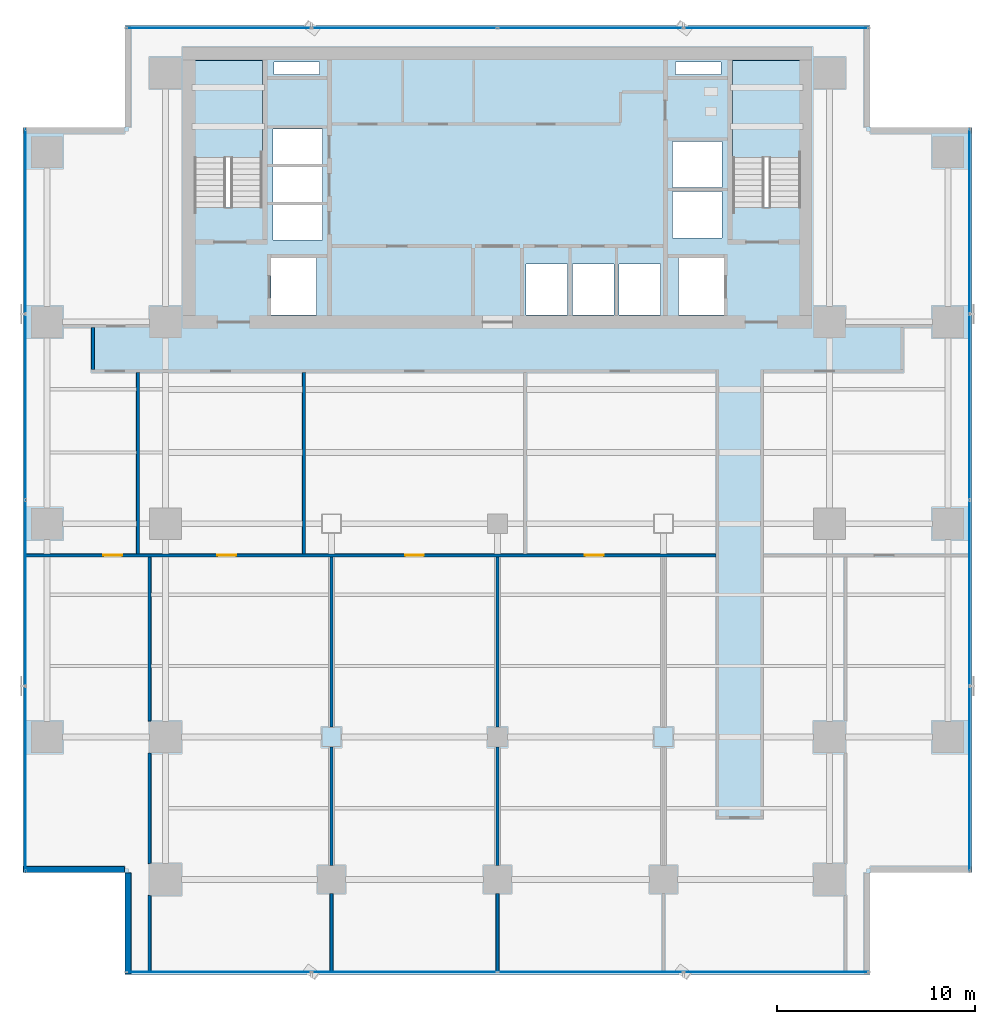
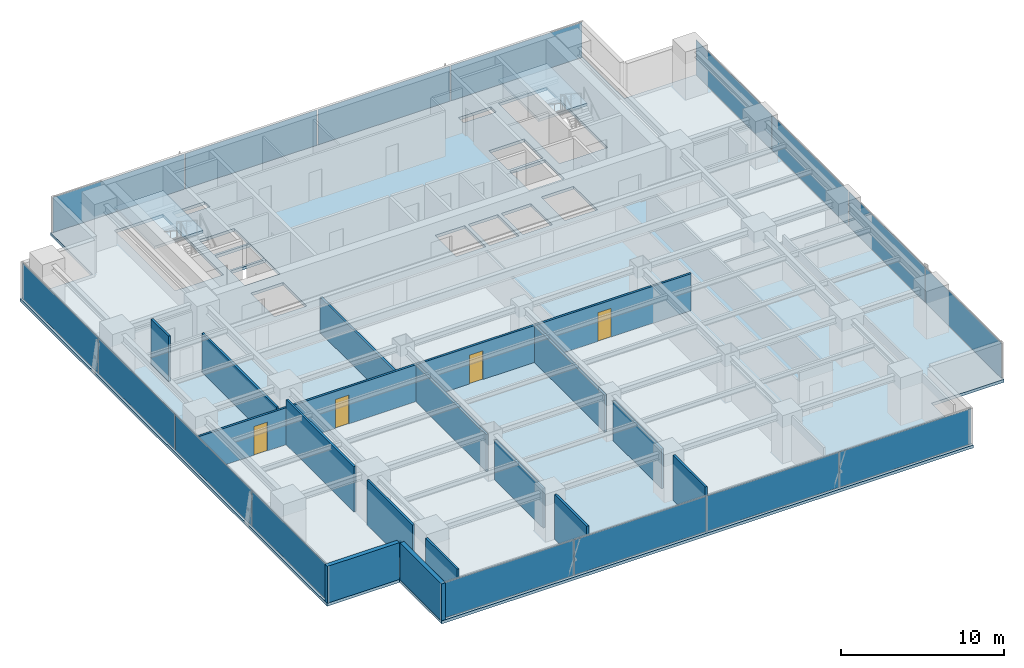
# One storey, part 20 of 28: 16 plates, 15 walls, 4 doors, 3 slabs, 4 openings, 6 elements without a shape of their own.
"""IFC4 building model written with IfcOpenShell, lengths in metres."""

from ifc_helpers import new_model, si_unit, direction, frame, frame_2d, origin, origin_2d, place, context, subcontext, project, spatial, polyline, rectangle, outline, extrude, source, transform, mapped, material, layer, layer_set, type_object, element, fill, aggregate, save


model = new_model("IFC4")

# Units and contexts
model_context = context("Model", 3, precision=1e-05, world=origin(), true_north=direction((0.0, 1.0)))
body_context = subcontext(model_context, "Body", "Model", "MODEL_VIEW")
ifc_project = project(units=[si_unit("LENGTHUNIT", "METRE"), si_unit("AREAUNIT", "SQUARE_METRE"), si_unit("VOLUMEUNIT", "CUBIC_METRE"), si_unit("PLANEANGLEUNIT", "RADIAN"), si_unit("MASSUNIT", "GRAM", prefix="KILO")], contexts=[model_context])

# Site, building, storey
site_placement = place(None, origin())
site = spatial("IfcSite", under=ifc_project, at=site_placement, CompositionType="ELEMENT")
building_placement = place(site_placement, origin())
building = spatial("IfcBuilding", under=site, at=building_placement, Name="Sumidabori Civic Tower", CompositionType="ELEMENT")
storey_placement = place(building_placement, frame((0.0, 0.0, 146.0)))
storey = spatial("IfcBuildingStorey", under=building, at=storey_placement, Name="L37", CompositionType="ELEMENT", Elevation=146.0)

# Stair, slab
ifc_material_1 = material(Name="Concrete C40/50", Category="concrete")
stair_type = type_object("IfcStairType", Name="ST-CORE-1600", PredefinedType="HALF_TURN_STAIR", material=ifc_material_1)
stair_1_placement = place(storey_placement, origin())
stair_1 = element("IfcStair", 1, at=stair_1_placement, inside=storey, type_object=stair_type, Name="L37 ST-1", PredefinedType="HALF_TURN_STAIR")
ifc_layer_1 = layer(ifc_material_1, 0.199951171875, Name="Concrete C40/50")
ifc_layer_set_1 = layer_set([ifc_layer_1], Name="Concrete C40/50")
slab_type_1 = type_object("IfcSlabType", Name="SL-LAND-200", PredefinedType="LANDING", material=ifc_layer_set_1)
slab_1_placement = place(storey_placement, frame((0.0, 0.0, 1.60009765625)))
slab_1 = element("IfcSlab", 2, at=slab_1_placement, type_object=slab_type_1, Name="ST-1 landing 1", PredefinedType="LANDING", context=body_context, shape_type="SweptSolid", body=[
    extrude(outline(polyline([(-11.89990234375, 18.52001953125), (-11.89990234375, 23.449951171875), (-15.340087890625, 23.449951171875), (-15.340087890625, 18.52001953125), (-11.89990234375, 18.52001953125)])), origin(), (0.0, 0.0, 1.0), 0.199951171875),
])
aggregate(stair_1, [slab_1])

stair_2_placement = place(storey_placement, origin())
stair_2 = element("IfcStair", 3, at=stair_2_placement, inside=storey, type_object=stair_type, Name="L37 ST-2", PredefinedType="HALF_TURN_STAIR")
slab_2_placement = place(storey_placement, frame((0.0, 0.0, 1.60009765625)))
slab_2 = element("IfcSlab", 4, at=slab_2_placement, type_object=slab_type_1, Name="ST-2 landing 1", PredefinedType="LANDING", context=body_context, shape_type="SweptSolid", body=[
    extrude(outline(polyline([(15.340087890625, 18.52001953125), (15.340087890625, 23.449951171875), (11.89990234375, 23.449951171875), (11.89990234375, 18.52001953125), (15.340087890625, 18.52001953125)])), origin(), (0.0, 0.0, 1.0), 0.199951171875),
])
aggregate(stair_2, [slab_2])

# Slab
ifc_layer_2 = layer(ifc_material_1, 0.219970703125, Name="Concrete C40/50")
ifc_layer_set_2 = layer_set([ifc_layer_2], Name="Concrete C40/50")
slab_type_2 = type_object("IfcSlabType", Name="SL-Z3-220", PredefinedType="FLOOR", material=ifc_layer_set_2)
slab_3_placement = place(storey_placement, frame((0.0, 0.0, -0.219970703125)))
element("IfcSlab", 5, at=slab_3_placement, inside=storey, type_object=slab_type_2, Name="Structural Slab L37", PredefinedType="FLOOR", context=body_context, shape_type="SweptSolid", body=[
    extrude(outline(polyline([(-18.85009765625, -22.800048828125), (18.85009765625, -22.800048828125), (18.85009765625, -17.64990234375), (24.0, -17.64990234375), (24.0, 20.050048828125), (18.85009765625, 20.050048828125), (18.85009765625, 25.199951171875), (-18.85009765625, 25.199951171875), (-18.85009765625, 20.050048828125), (-24.0, 20.050048828125), (-24.0, -17.64990234375), (-18.85009765625, -17.64990234375), (-18.85009765625, -22.800048828125)]), holes=[polyline([(-11.89990234375, 16.0), (-11.89990234375, 23.449951171875), (-15.340087890625, 23.449951171875), (-15.340087890625, 16.0), (-11.89990234375, 16.0)]), polyline([(15.340087890625, 16.0), (15.340087890625, 23.449951171875), (11.89990234375, 23.449951171875), (11.89990234375, 16.0), (15.340087890625, 16.0)]), polyline([(-11.449951171875, 10.550048828125), (-9.14990234375, 10.550048828125), (-9.14990234375, 13.449951171875), (-11.449951171875, 13.449951171875), (-11.449951171875, 10.550048828125)]), polyline([(9.14990234375, 10.550048828125), (11.449951171875, 10.550048828125), (11.449951171875, 13.449951171875), (9.14990234375, 13.449951171875), (9.14990234375, 10.550048828125)]), polyline([(1.449951171875, 10.550048828125), (3.550048828125, 10.550048828125), (3.550048828125, 13.14990234375), (1.449951171875, 13.14990234375), (1.449951171875, 10.550048828125)]), polyline([(3.800048828125, 10.550048828125), (5.89990234375, 10.550048828125), (5.89990234375, 13.14990234375), (3.800048828125, 13.14990234375), (3.800048828125, 10.550048828125)]), polyline([(6.14990234375, 10.550048828125), (8.25, 10.550048828125), (8.25, 13.14990234375), (6.14990234375, 13.14990234375), (6.14990234375, 10.550048828125)]), polyline([(-11.35009765625, 14.35009765625), (-8.85009765625, 14.35009765625), (-8.85009765625, 16.1201171875), (-11.35009765625, 16.1201171875), (-11.35009765625, 14.35009765625)]), polyline([(-11.35009765625, 16.27001953125), (-8.85009765625, 16.27001953125), (-8.85009765625, 18.0400390625), (-11.35009765625, 18.0400390625), (-11.35009765625, 16.27001953125)]), polyline([(-11.35009765625, 18.18994140625), (-8.85009765625, 18.18994140625), (-8.85009765625, 19.9599609375), (-11.35009765625, 19.9599609375), (-11.35009765625, 18.18994140625)]), polyline([(8.85009765625, 14.449951171875), (11.35009765625, 14.449951171875), (11.35009765625, 16.800048828125), (8.85009765625, 16.800048828125), (8.85009765625, 14.449951171875)]), polyline([(8.85009765625, 17.0), (11.35009765625, 17.0), (11.35009765625, 19.35009765625), (8.85009765625, 19.35009765625), (8.85009765625, 17.0)]), polyline([(-11.300048828125, 22.719970703125), (-9.0, 22.719970703125), (-9.0, 23.35009765625), (-11.300048828125, 23.35009765625), (-11.300048828125, 22.719970703125)]), polyline([(9.0, 22.719970703125), (11.300048828125, 22.719970703125), (11.300048828125, 23.35009765625), (9.0, 23.35009765625), (9.0, 22.719970703125)])]), origin(), (0.0, 0.0, 1.0), 0.219970703125),
])

# Curtain wall, plates
ifc_material_2 = material(Name="Anodised Bronze Aluminium AW-6063-T6", Category="aluminium")
ifc_layer_3 = layer(ifc_material_2, 0.179931640625, Name="Anodised Bronze Aluminium AW-6063-T6")
ifc_layer_set_3 = layer_set([ifc_layer_3], Name="Anodised Bronze Aluminium AW-6063-T6")
curtain_wall_type = type_object("IfcCurtainWallType", Name="CW-SYS-3", PredefinedType="NOTDEFINED", material=ifc_layer_set_3)
curtain_wall_1_placement = place(storey_placement, origin())
curtain_wall_1 = element("IfcCurtainWall", 6, at=curtain_wall_1_placement, inside=storey, type_object=curtain_wall_type, Name="Curtain Wall CW:L37:R01", PredefinedType="NOTDEFINED")
ifc_material_3 = material(Name="Low-E Solar-Control Vision Glazing", Category="glass")
ifc_layer_4 = layer(ifc_material_3, 0.028076171875, Name="Low-E Solar-Control Vision Glazing")
ifc_layer_set_4 = layer_set([ifc_layer_4], Name="Low-E Solar-Control Vision Glazing")
plate_type = type_object("IfcPlateType", Name="CW-PNL-28", PredefinedType="CURTAIN_PANEL", material=ifc_layer_set_4)
shared_shape_1 = source(origin(), body_context, "Body", "SweptSolid", [
    extrude(rectangle(XDim=9.3125, YDim=0.028076171875, at=origin_2d()), origin(), (0.0, 0.0, 1.0), 2.639892578125),
])
plate_1_placement = place(storey_placement, frame((-14.0986328125, -22.679931640625, 0.06005859375), z_axis=(0.0, 0.0, 1.0), x_axis=(1.0, 0.0, 0.0)))
plate_1 = element("IfcPlate", 7, at=plate_1_placement, type_object=plate_type, Name="CW-3 panel 1.1", PredefinedType="CURTAIN_PANEL", context=body_context, shape_type="MappedRepresentation", body=[
    mapped(shared_shape_1, transform((0.0, 0.0, 0.0), x_axis=(1.0, 0.0, 0.0), y_axis=(0.0, 1.0, 0.0), z_axis=(0.0, 0.0, 1.0), scale=1.0)),
])
plate_2_placement = place(storey_placement, frame((14.0986328125, -22.679931640625, 0.06005859375), z_axis=(0.0, 0.0, 1.0), x_axis=(1.0, 0.0, 0.0)))
plate_2 = element("IfcPlate", 8, at=plate_2_placement, type_object=plate_type, Name="CW-3 panel 4.1", PredefinedType="CURTAIN_PANEL", context=body_context, shape_type="MappedRepresentation", body=[
    mapped(shared_shape_1, transform((0.0, 0.0, 0.0), x_axis=(1.0, 0.0, 0.0), y_axis=(0.0, 1.0, 0.0), z_axis=(0.0, 0.0, 1.0), scale=1.0)),
])

curtain_wall_2_placement = place(storey_placement, origin())
curtain_wall_2 = element("IfcCurtainWall", 9, at=curtain_wall_2_placement, inside=storey, type_object=curtain_wall_type, Name="Curtain Wall CW:L37:R04", PredefinedType="NOTDEFINED")
plate_3_placement = place(storey_placement, frame((23.8798828125, -12.898681640625, 0.06005859375), z_axis=(0.0, 0.0, 1.0), x_axis=(0.0, 1.0, 0.0)))
plate_3 = element("IfcPlate", 10, at=plate_3_placement, type_object=plate_type, Name="CW-3 panel 1.1", PredefinedType="CURTAIN_PANEL", context=body_context, shape_type="MappedRepresentation", body=[
    mapped(shared_shape_1, transform((0.0, 0.0, 0.0), x_axis=(1.0, 0.0, 0.0), y_axis=(0.0, 1.0, 0.0), z_axis=(0.0, 0.0, 1.0), scale=1.0)),
])
plate_4_placement = place(storey_placement, frame((23.8798828125, 15.298828125, 0.06005859375), z_axis=(0.0, 0.0, 1.0), x_axis=(0.0, 1.0, 0.0)))
plate_4 = element("IfcPlate", 11, at=plate_4_placement, type_object=plate_type, Name="CW-3 panel 4.1", PredefinedType="CURTAIN_PANEL", context=body_context, shape_type="MappedRepresentation", body=[
    mapped(shared_shape_1, transform((0.0, 0.0, 0.0), x_axis=(1.0, 0.0, 0.0), y_axis=(0.0, 1.0, 0.0), z_axis=(0.0, 0.0, 1.0), scale=1.0)),
])

curtain_wall_3_placement = place(storey_placement, origin())
curtain_wall_3 = element("IfcCurtainWall", 12, at=curtain_wall_3_placement, inside=storey, type_object=curtain_wall_type, Name="Curtain Wall CW:L37:R07", PredefinedType="NOTDEFINED")
plate_5_placement = place(storey_placement, frame((14.0986328125, 25.080078125, 0.06005859375), z_axis=(0.0, 0.0, 1.0), x_axis=(-1.0, 0.0, 0.0)))
plate_5 = element("IfcPlate", 13, at=plate_5_placement, type_object=plate_type, Name="CW-3 panel 1.1", PredefinedType="CURTAIN_PANEL", context=body_context, shape_type="MappedRepresentation", body=[
    mapped(shared_shape_1, transform((0.0, 0.0, 0.0), x_axis=(1.0, 0.0, 0.0), y_axis=(0.0, 1.0, 0.0), z_axis=(0.0, 0.0, 1.0), scale=1.0)),
])
plate_6_placement = place(storey_placement, frame((-14.0986328125, 25.080078125, 0.06005859375), z_axis=(0.0, 0.0, 1.0), x_axis=(-1.0, 0.0, 0.0)))
plate_6 = element("IfcPlate", 14, at=plate_6_placement, type_object=plate_type, Name="CW-3 panel 4.1", PredefinedType="CURTAIN_PANEL", context=body_context, shape_type="MappedRepresentation", body=[
    mapped(shared_shape_1, transform((0.0, 0.0, 0.0), x_axis=(1.0, 0.0, 0.0), y_axis=(0.0, 1.0, 0.0), z_axis=(0.0, 0.0, 1.0), scale=1.0)),
])

curtain_wall_4_placement = place(storey_placement, origin())
curtain_wall_4 = element("IfcCurtainWall", 15, at=curtain_wall_4_placement, inside=storey, type_object=curtain_wall_type, Name="Curtain Wall CW:L37:R10", PredefinedType="NOTDEFINED")
plate_7_placement = place(storey_placement, frame((-23.8798828125, 15.298828125, 0.06005859375), z_axis=(0.0, 0.0, 1.0), x_axis=(0.0, -1.0, 0.0)))
plate_7 = element("IfcPlate", 16, at=plate_7_placement, type_object=plate_type, Name="CW-3 panel 1.1", PredefinedType="CURTAIN_PANEL", context=body_context, shape_type="MappedRepresentation", body=[
    mapped(shared_shape_1, transform((0.0, 0.0, 0.0), x_axis=(1.0, 0.0, 0.0), y_axis=(0.0, 1.0, 0.0), z_axis=(0.0, 0.0, 1.0), scale=1.0)),
])
plate_8_placement = place(storey_placement, frame((-23.8798828125, -12.898681640625, 0.06005859375), z_axis=(0.0, 0.0, 1.0), x_axis=(0.0, -1.0, 0.0)))
plate_8 = element("IfcPlate", 17, at=plate_8_placement, type_object=plate_type, Name="CW-3 panel 4.1", PredefinedType="CURTAIN_PANEL", context=body_context, shape_type="MappedRepresentation", body=[
    mapped(shared_shape_1, transform((0.0, 0.0, 0.0), x_axis=(1.0, 0.0, 0.0), y_axis=(0.0, 1.0, 0.0), z_axis=(0.0, 0.0, 1.0), scale=1.0)),
])

# Plate
shared_shape_2 = source(origin(), body_context, "Body", "SweptSolid", [
    extrude(rectangle(XDim=9.344970703125, YDim=0.028076171875, at=origin_2d()), origin(), (0.0, 0.0, 1.0), 2.639892578125),
])
plate_9_placement = place(storey_placement, frame((-4.705078125, -22.679931640625, 0.06005859375), z_axis=(0.0, 0.0, 1.0), x_axis=(1.0, 0.0, 0.0)))
plate_9 = element("IfcPlate", 18, at=plate_9_placement, type_object=plate_type, Name="CW-3 panel 2.1", PredefinedType="CURTAIN_PANEL", context=body_context, shape_type="MappedRepresentation", body=[
    mapped(shared_shape_2, transform((0.0, 0.0, 0.0), x_axis=(1.0, 0.0, 0.0), y_axis=(0.0, 1.0, 0.0), z_axis=(0.0, 0.0, 1.0), scale=1.0)),
])

plate_10_placement = place(storey_placement, frame((4.705078125, -22.679931640625, 0.06005859375), z_axis=(0.0, 0.0, 1.0), x_axis=(1.0, 0.0, 0.0)))
plate_10 = element("IfcPlate", 19, at=plate_10_placement, type_object=plate_type, Name="CW-3 panel 3.1", PredefinedType="CURTAIN_PANEL", context=body_context, shape_type="MappedRepresentation", body=[
    mapped(shared_shape_2, transform((0.0, 0.0, 0.0), x_axis=(1.0, 0.0, 0.0), y_axis=(0.0, 1.0, 0.0), z_axis=(0.0, 0.0, 1.0), scale=1.0)),
])

aggregate(curtain_wall_1, [plate_1, plate_9, plate_10, plate_2])

plate_11_placement = place(storey_placement, frame((23.8798828125, -3.5048828125, 0.06005859375), z_axis=(0.0, 0.0, 1.0), x_axis=(0.0, 1.0, 0.0)))
plate_11 = element("IfcPlate", 20, at=plate_11_placement, type_object=plate_type, Name="CW-3 panel 2.1", PredefinedType="CURTAIN_PANEL", context=body_context, shape_type="MappedRepresentation", body=[
    mapped(shared_shape_2, transform((0.0, 0.0, 0.0), x_axis=(1.0, 0.0, 0.0), y_axis=(0.0, 1.0, 0.0), z_axis=(0.0, 0.0, 1.0), scale=1.0)),
])

plate_12_placement = place(storey_placement, frame((23.8798828125, 5.905029296875, 0.06005859375), z_axis=(0.0, 0.0, 1.0), x_axis=(0.0, 1.0, 0.0)))
plate_12 = element("IfcPlate", 21, at=plate_12_placement, type_object=plate_type, Name="CW-3 panel 3.1", PredefinedType="CURTAIN_PANEL", context=body_context, shape_type="MappedRepresentation", body=[
    mapped(shared_shape_2, transform((0.0, 0.0, 0.0), x_axis=(1.0, 0.0, 0.0), y_axis=(0.0, 1.0, 0.0), z_axis=(0.0, 0.0, 1.0), scale=1.0)),
])

aggregate(curtain_wall_2, [plate_3, plate_11, plate_12, plate_4])

plate_13_placement = place(storey_placement, frame((4.705078125, 25.080078125, 0.06005859375), z_axis=(0.0, 0.0, 1.0), x_axis=(-1.0, 0.0, 0.0)))
plate_13 = element("IfcPlate", 22, at=plate_13_placement, type_object=plate_type, Name="CW-3 panel 2.1", PredefinedType="CURTAIN_PANEL", context=body_context, shape_type="MappedRepresentation", body=[
    mapped(shared_shape_2, transform((0.0, 0.0, 0.0), x_axis=(1.0, 0.0, 0.0), y_axis=(0.0, 1.0, 0.0), z_axis=(0.0, 0.0, 1.0), scale=1.0)),
])

plate_14_placement = place(storey_placement, frame((-4.705078125, 25.080078125, 0.06005859375), z_axis=(0.0, 0.0, 1.0), x_axis=(-1.0, 0.0, 0.0)))
plate_14 = element("IfcPlate", 23, at=plate_14_placement, type_object=plate_type, Name="CW-3 panel 3.1", PredefinedType="CURTAIN_PANEL", context=body_context, shape_type="MappedRepresentation", body=[
    mapped(shared_shape_2, transform((0.0, 0.0, 0.0), x_axis=(1.0, 0.0, 0.0), y_axis=(0.0, 1.0, 0.0), z_axis=(0.0, 0.0, 1.0), scale=1.0)),
])

aggregate(curtain_wall_3, [plate_5, plate_13, plate_14, plate_6])

plate_15_placement = place(storey_placement, frame((-23.8798828125, 5.905029296875, 0.06005859375), z_axis=(0.0, 0.0, 1.0), x_axis=(0.0, -1.0, 0.0)))
plate_15 = element("IfcPlate", 24, at=plate_15_placement, type_object=plate_type, Name="CW-3 panel 2.1", PredefinedType="CURTAIN_PANEL", context=body_context, shape_type="MappedRepresentation", body=[
    mapped(shared_shape_2, transform((0.0, 0.0, 0.0), x_axis=(1.0, 0.0, 0.0), y_axis=(0.0, 1.0, 0.0), z_axis=(0.0, 0.0, 1.0), scale=1.0)),
])

plate_16_placement = place(storey_placement, frame((-23.8798828125, -3.5048828125, 0.06005859375), z_axis=(0.0, 0.0, 1.0), x_axis=(0.0, -1.0, 0.0)))
plate_16 = element("IfcPlate", 25, at=plate_16_placement, type_object=plate_type, Name="CW-3 panel 3.1", PredefinedType="CURTAIN_PANEL", context=body_context, shape_type="MappedRepresentation", body=[
    mapped(shared_shape_2, transform((0.0, 0.0, 0.0), x_axis=(1.0, 0.0, 0.0), y_axis=(0.0, 1.0, 0.0), z_axis=(0.0, 0.0, 1.0), scale=1.0)),
])

aggregate(curtain_wall_4, [plate_7, plate_15, plate_16, plate_8])

# Walls
ifc_material_4 = material(Name="Precast concrete C40/50", Category="concrete")
ifc_layer_5 = layer(ifc_material_4, 0.300048828125, Name="Precast concrete C40/50")
ifc_layer_set_5 = layer_set([ifc_layer_5], Name="Precast concrete C40/50")
wall_type_1 = type_object("IfcWallType", Name="WL-EXT-POD300", PredefinedType="STANDARD", material=ifc_layer_set_5)
shared_shape_3 = source(origin(), body_context, "Body", "SweptSolid", [
    extrude(rectangle(XDim=5.110107421875, YDim=0.300048828125, at=frame_2d((2.55517578125, 0.0))), origin(), (0.0, 0.0, 1.0), 2.760009765625),
])
wall_1_placement = place(storey_placement, frame((-18.699951171875, -17.669921875, 0.0), z_axis=(0.0, 0.0, 1.0), x_axis=(0.0, -1.0, 0.0)))
element("IfcWall", 26, at=wall_1_placement, inside=storey, type_object=wall_type_1, Name="Notched Corner Spandrel Band L37-12", PredefinedType="STANDARD", context=body_context, shape_type="MappedRepresentation", body=[
    mapped(shared_shape_3, transform((0.0, 0.0, 0.0), x_axis=(1.0, 0.0, 0.0), y_axis=(0.0, 1.0, 0.0), z_axis=(0.0, 0.0, 1.0), scale=1.0)),
])
shared_shape_4 = source(origin(), body_context, "Body", "SweptSolid", [
    extrude(rectangle(XDim=5.10986328125, YDim=0.300048828125, at=frame_2d((2.554931640625, 0.0))), origin(), (0.0, 0.0, 1.0), 2.760009765625),
])
wall_2_placement = place(storey_placement, frame((-23.97998046875, -17.5, 0.0), z_axis=(0.0, 0.0, 1.0), x_axis=(1.0, 0.0, 0.0)))
element("IfcWall", 27, at=wall_2_placement, inside=storey, type_object=wall_type_1, Name="Notched Corner Spandrel Band L37-11", PredefinedType="STANDARD", context=body_context, shape_type="MappedRepresentation", body=[
    mapped(shared_shape_4, transform((0.0, 0.0, 0.0), x_axis=(1.0, 0.0, 0.0), y_axis=(0.0, 1.0, 0.0), z_axis=(0.0, 0.0, 1.0), scale=1.0)),
])
ifc_material_5 = material(Name="Gypsum Plasterboard Acoustic Partition")
ifc_layer_6 = layer(ifc_material_5, 0.14990234375, Name="Gypsum Plasterboard Acoustic Partition")
ifc_layer_set_6 = layer_set([ifc_layer_6], Name="Gypsum Plasterboard Acoustic Partition")
wall_type_2 = type_object("IfcWallType", Name="WL-PART-150", PredefinedType="PARTITIONING", material=ifc_layer_set_6)
shared_shape_5 = source(origin(), body_context, "Body", "SweptSolid", [
    extrude(rectangle(XDim=2.114990234375, YDim=0.14990234375, at=frame_2d((1.0576171875, 0.0))), origin(), (0.0, 0.0, 1.0), 3.3798828125),
])
wall_3_placement = place(storey_placement, frame((-20.47509765625, 7.804931640625, 0.0), z_axis=(0.0, 0.0, 1.0), x_axis=(0.0, 1.0, 0.0)))
element("IfcWall", 28, at=wall_3_placement, inside=storey, type_object=wall_type_2, Name="Interior Partition WL:L37:CORR-VNW", PredefinedType="PARTITIONING", context=body_context, shape_type="MappedRepresentation", body=[
    mapped(shared_shape_5, transform((0.0, 0.0, 0.0), x_axis=(1.0, 0.0, 0.0), y_axis=(0.0, 1.0, 0.0), z_axis=(0.0, 0.0, 1.0), scale=1.0)),
])

# Wall, openings, doors
shared_shape_6 = source(origin(), body_context, "Body", "SweptSolid", [
    extrude(rectangle(XDim=34.89501953125, YDim=0.14990234375, at=frame_2d((17.447509765625, 0.0))), origin(), (0.0, 0.0, 1.0), 2.764892578125),
])
wall_4_placement = place(storey_placement, frame((-23.85009765625, -1.60009765625, 0.0), z_axis=(0.0, 0.0, 1.0), x_axis=(1.0, 0.0, 0.0)))
wall_4 = element("IfcWall", 29, at=wall_4_placement, inside=storey, type_object=wall_type_2, Name="Interior Partition WL:L37:BAND-Y-1", PredefinedType="PARTITIONING", context=body_context, shape_type="MappedRepresentation", body=[
    mapped(shared_shape_6, transform((0.0, 0.0, 0.0), x_axis=(1.0, 0.0, 0.0), y_axis=(0.0, 1.0, 0.0), z_axis=(0.0, 0.0, 1.0), scale=1.0)),
])
opening_1_placement = place(wall_4_placement, frame((3.91259765625, 0.0, 0.0)))
opening_1 = element("IfcOpeningElement", 30, at=opening_1_placement, cuts=wall_4, Name="Opening DR-2", PredefinedType="OPENING", context=body_context, shape_type="SweptSolid", body=[
    extrude(rectangle(XDim=0.949951171875, YDim=2.14990234375, at=frame_2d((0.47509765625, 1.074951171875))), frame((0.0, 0.0869140625, 0.0), z_axis=(0.0, -1.0, 0.0), x_axis=(1.0, 0.0, 0.0)), (0.0, 0.0, 1.0), 0.173828125),
])
opening_2_placement = place(wall_4_placement, frame((9.675048828125, 0.0, 0.0)))
opening_2 = element("IfcOpeningElement", 31, at=opening_2_placement, cuts=wall_4, Name="Opening DR-2", PredefinedType="OPENING", context=body_context, shape_type="SweptSolid", body=[
    extrude(rectangle(XDim=0.949951171875, YDim=2.14990234375, at=frame_2d((0.47509765625, 1.074951171875))), frame((0.0, 0.0869140625, 0.0), z_axis=(0.0, -1.0, 0.0), x_axis=(1.0, 0.0, 0.0)), (0.0, 0.0, 1.0), 0.173828125),
])
opening_3_placement = place(wall_4_placement, frame((19.175048828125, 0.0, 0.0)))
opening_3 = element("IfcOpeningElement", 32, at=opening_3_placement, cuts=wall_4, Name="Opening DR-2", PredefinedType="OPENING", context=body_context, shape_type="SweptSolid", body=[
    extrude(rectangle(XDim=0.949951171875, YDim=2.14990234375, at=frame_2d((0.47509765625, 1.074951171875))), frame((0.0, 0.0869140625, 0.0), z_axis=(0.0, -1.0, 0.0), x_axis=(1.0, 0.0, 0.0)), (0.0, 0.0, 1.0), 0.173828125),
])
opening_4_placement = place(wall_4_placement, frame((28.27490234375, 0.0, 0.0)))
opening_4 = element("IfcOpeningElement", 33, at=opening_4_placement, cuts=wall_4, Name="Opening DR-2", PredefinedType="OPENING", context=body_context, shape_type="SweptSolid", body=[
    extrude(rectangle(XDim=0.949951171875, YDim=2.14990234375, at=frame_2d((0.47509765625, 1.074951171875))), frame((0.0, 0.0869140625, 0.0), z_axis=(0.0, -1.0, 0.0), x_axis=(1.0, 0.0, 0.0)), (0.0, 0.0, 1.0), 0.173828125),
])
ifc_material_6 = material(Name="Japanese Hinoki Timber", Category="wood")
door_type = type_object("IfcDoorType", Name="DR-INT-950", OperationType="NOTDEFINED", PredefinedType="DOOR", material=ifc_material_6)
shared_shape_7 = source(origin(), body_context, "Body", "SweptSolid", [
    extrude(rectangle(XDim=0.949951171875, YDim=2.14990234375, at=frame_2d((0.47509765625, 1.074951171875))), frame((0.0, 0.02490234375, 0.0), z_axis=(0.0, -1.0, 0.0), x_axis=(1.0, 0.0, 0.0)), (0.0, 0.0, 1.0), 0.050048828125),
])
door_1_placement = place(opening_1_placement, origin())
door_1 = element("IfcDoor", 34, at=door_1_placement, inside=storey, type_object=door_type, Name="Door DR:L37:D08", OperationType="SINGLE_SWING_RIGHT", OverallHeight=2.14990234375, OverallWidth=0.949951171875, PredefinedType="DOOR", context=body_context, shape_type="MappedRepresentation", body=[
    mapped(shared_shape_7, transform((0.0, 0.0, 0.0), x_axis=(1.0, 0.0, 0.0), y_axis=(0.0, 1.0, 0.0), z_axis=(0.0, 0.0, 1.0), scale=1.0)),
])
fill(opening_1, door_1)
door_2_placement = place(opening_2_placement, origin())
door_2 = element("IfcDoor", 35, at=door_2_placement, inside=storey, type_object=door_type, Name="Door DR:L37:D10", OperationType="SINGLE_SWING_RIGHT", OverallHeight=2.14990234375, OverallWidth=0.949951171875, PredefinedType="DOOR", context=body_context, shape_type="MappedRepresentation", body=[
    mapped(shared_shape_7, transform((0.0, 0.0, 0.0), x_axis=(1.0, 0.0, 0.0), y_axis=(0.0, 1.0, 0.0), z_axis=(0.0, 0.0, 1.0), scale=1.0)),
])
fill(opening_2, door_2)
door_3_placement = place(opening_3_placement, origin())
door_3 = element("IfcDoor", 36, at=door_3_placement, inside=storey, type_object=door_type, Name="Door DR:L37:D11", OperationType="SINGLE_SWING_LEFT", OverallHeight=2.14990234375, OverallWidth=0.949951171875, PredefinedType="DOOR", context=body_context, shape_type="MappedRepresentation", body=[
    mapped(shared_shape_7, transform((0.0, 0.0, 0.0), x_axis=(1.0, 0.0, 0.0), y_axis=(0.0, 1.0, 0.0), z_axis=(0.0, 0.0, 1.0), scale=1.0)),
])
fill(opening_3, door_3)
door_4_placement = place(opening_4_placement, origin())
door_4 = element("IfcDoor", 37, at=door_4_placement, inside=storey, type_object=door_type, Name="Door DR:L37:D12", OperationType="SINGLE_SWING_RIGHT", OverallHeight=2.14990234375, OverallWidth=0.949951171875, PredefinedType="DOOR", context=body_context, shape_type="MappedRepresentation", body=[
    mapped(shared_shape_7, transform((0.0, 0.0, 0.0), x_axis=(1.0, 0.0, 0.0), y_axis=(0.0, 1.0, 0.0), z_axis=(0.0, 0.0, 1.0), scale=1.0)),
])
fill(opening_4, door_4)

# Walls
shared_shape_8 = source(origin(), body_context, "Body", "SweptSolid", [
    extrude(rectangle(XDim=9.1650390625, YDim=0.14990234375, at=frame_2d((4.58251953125, 0.0))), origin(), (0.0, 0.0, 1.0), 2.9150390625),
])
wall_5_placement = place(storey_placement, frame((-18.199951171875, -1.52001953125, 0.0), z_axis=(0.0, 0.0, 1.0), x_axis=(0.0, 1.0, 0.0)))
element("IfcWall", 38, at=wall_5_placement, inside=storey, type_object=wall_type_2, Name="Interior Partition WL:L37:VX-N1", PredefinedType="PARTITIONING", context=body_context, shape_type="MappedRepresentation", body=[
    mapped(shared_shape_8, transform((0.0, 0.0, 0.0), x_axis=(1.0, 0.0, 0.0), y_axis=(0.0, 1.0, 0.0), z_axis=(0.0, 0.0, 1.0), scale=1.0)),
])
shared_shape_9 = source(origin(), body_context, "Body", "SweptSolid", [
    extrude(rectangle(XDim=9.1650390625, YDim=0.14990234375, at=frame_2d((4.58251953125, 0.0))), origin(), (0.0, 0.0, 1.0), 2.6650390625),
])
wall_6_placement = place(storey_placement, frame((-9.800048828125, -1.52001953125, 0.0), z_axis=(0.0, 0.0, 1.0), x_axis=(0.0, 1.0, 0.0)))
element("IfcWall", 39, at=wall_6_placement, inside=storey, type_object=wall_type_2, Name="Interior Partition WL:L37:VX-N2", PredefinedType="PARTITIONING", context=body_context, shape_type="MappedRepresentation", body=[
    mapped(shared_shape_9, transform((0.0, 0.0, 0.0), x_axis=(1.0, 0.0, 0.0), y_axis=(0.0, 1.0, 0.0), z_axis=(0.0, 0.0, 1.0), scale=1.0)),
])
shared_shape_10 = source(origin(), body_context, "Body", "SweptSolid", [
    extrude(rectangle(XDim=3.83984375, YDim=0.14990234375, at=frame_2d((1.919921875, 0.0))), origin(), (0.0, 0.0, 1.0), 3.3798828125),
])
wall_7_placement = place(storey_placement, frame((-17.60009765625, -22.64990234375, 0.0), z_axis=(0.0, 0.0, 1.0), x_axis=(0.0, 1.0, 0.0)))
element("IfcWall", 40, at=wall_7_placement, inside=storey, type_object=wall_type_2, Name="Interior Partition WL:L37:VX-S1-1", PredefinedType="PARTITIONING", context=body_context, shape_type="MappedRepresentation", body=[
    mapped(shared_shape_10, transform((0.0, 0.0, 0.0), x_axis=(1.0, 0.0, 0.0), y_axis=(0.0, 1.0, 0.0), z_axis=(0.0, 0.0, 1.0), scale=1.0)),
])
shared_shape_11 = source(origin(), body_context, "Body", "SweptSolid", [
    extrude(rectangle(XDim=5.579833984375, YDim=0.14990234375, at=frame_2d((2.7900390625, 0.0))), origin(), (0.0, 0.0, 1.0), 3.3798828125),
])
wall_8_placement = place(storey_placement, frame((-17.60009765625, -17.18994140625, 0.0), z_axis=(0.0, 0.0, 1.0), x_axis=(0.0, 1.0, 0.0)))
element("IfcWall", 41, at=wall_8_placement, inside=storey, type_object=wall_type_2, Name="Interior Partition WL:L37:VX-S1-2", PredefinedType="PARTITIONING", context=body_context, shape_type="MappedRepresentation", body=[
    mapped(shared_shape_11, transform((0.0, 0.0, 0.0), x_axis=(1.0, 0.0, 0.0), y_axis=(0.0, 1.0, 0.0), z_axis=(0.0, 0.0, 1.0), scale=1.0)),
])
shared_shape_12 = source(origin(), body_context, "Body", "SweptSolid", [
    extrude(rectangle(XDim=8.31005859375, YDim=0.14990234375, at=frame_2d((4.155029296875, 0.0))), origin(), (0.0, 0.0, 1.0), 3.3798828125),
])
wall_9_placement = place(storey_placement, frame((-17.60009765625, -9.989990234375, 0.0), z_axis=(0.0, 0.0, 1.0), x_axis=(0.0, 1.0, 0.0)))
element("IfcWall", 42, at=wall_9_placement, inside=storey, type_object=wall_type_2, Name="Interior Partition WL:L37:VX-S1-3", PredefinedType="PARTITIONING", context=body_context, shape_type="MappedRepresentation", body=[
    mapped(shared_shape_12, transform((0.0, 0.0, 0.0), x_axis=(1.0, 0.0, 0.0), y_axis=(0.0, 1.0, 0.0), z_axis=(0.0, 0.0, 1.0), scale=1.0)),
])
shared_shape_13 = source(origin(), body_context, "Body", "SweptSolid", [
    extrude(rectangle(XDim=3.93994140625, YDim=0.14990234375, at=frame_2d((1.969970703125, 0.0))), origin(), (0.0, 0.0, 1.0), 3.3798828125),
])
for number, where, z_axis, x_axis, name in (
    (43, (-8.39990234375, -22.64990234375, 0.0), (0.0, 0.0, 1.0), (0.0, 1.0, 0.0), "Interior Partition WL:L37:VX-S2-1"),
    (44, (0.0, -22.64990234375, 0.0), (0.0, 0.0, 1.0), (0.0, 1.0, 0.0), "Interior Partition WL:L37:VX-S3-1"),
):
    element("IfcWall", number, at=place(storey_placement, frame(where, z_axis=z_axis, x_axis=x_axis)), inside=storey, type_object=wall_type_2, Name=name, PredefinedType="PARTITIONING", context=body_context, shape_type="MappedRepresentation", body=[
        mapped(shared_shape_13, transform((0.0, 0.0, 0.0), x_axis=(1.0, 0.0, 0.0), y_axis=(0.0, 1.0, 0.0), z_axis=(0.0, 0.0, 1.0), scale=1.0)),
    ])
shared_shape_14 = source(origin(), body_context, "Body", "SweptSolid", [
    extrude(rectangle(XDim=5.97998046875, YDim=0.14990234375, at=frame_2d((2.989990234375, 0.0))), origin(), (0.0, 0.0, 1.0), 2.965087890625),
])
for number, where, z_axis, x_axis, name in (
    (45, (-8.39990234375, -17.2900390625, 0.0), (0.0, 0.0, 1.0), (0.0, 1.0, 0.0), "Interior Partition WL:L37:VX-S2-2"),
    (46, (0.0, -17.2900390625, 0.0), (0.0, 0.0, 1.0), (0.0, 1.0, 0.0), "Interior Partition WL:L37:VX-S3-2"),
):
    element("IfcWall", number, at=place(storey_placement, frame(where, z_axis=z_axis, x_axis=x_axis)), inside=storey, type_object=wall_type_2, Name=name, PredefinedType="PARTITIONING", context=body_context, shape_type="MappedRepresentation", body=[
        mapped(shared_shape_14, transform((0.0, 0.0, 0.0), x_axis=(1.0, 0.0, 0.0), y_axis=(0.0, 1.0, 0.0), z_axis=(0.0, 0.0, 1.0), scale=1.0)),
    ])
shared_shape_15 = source(origin(), body_context, "Body", "SweptSolid", [
    extrude(rectangle(XDim=8.610107421875, YDim=0.14990234375, at=frame_2d((4.30517578125, 0.0))), origin(), (0.0, 0.0, 1.0), 2.764892578125),
])
for number, where, z_axis, x_axis, name in (
    (47, (-8.39990234375, -10.2900390625, 0.0), (0.0, 0.0, 1.0), (0.0, 1.0, 0.0), "Interior Partition WL:L37:VX-S2-3"),
    (48, (0.0, -10.2900390625, 0.0), (0.0, 0.0, 1.0), (0.0, 1.0, 0.0), "Interior Partition WL:L37:VX-S3-3"),
):
    element("IfcWall", number, at=place(storey_placement, frame(where, z_axis=z_axis, x_axis=x_axis)), inside=storey, type_object=wall_type_2, Name=name, PredefinedType="PARTITIONING", context=body_context, shape_type="MappedRepresentation", body=[
        mapped(shared_shape_15, transform((0.0, 0.0, 0.0), x_axis=(1.0, 0.0, 0.0), y_axis=(0.0, 1.0, 0.0), z_axis=(0.0, 0.0, 1.0), scale=1.0)),
    ])

save(model, "model.ifc")
